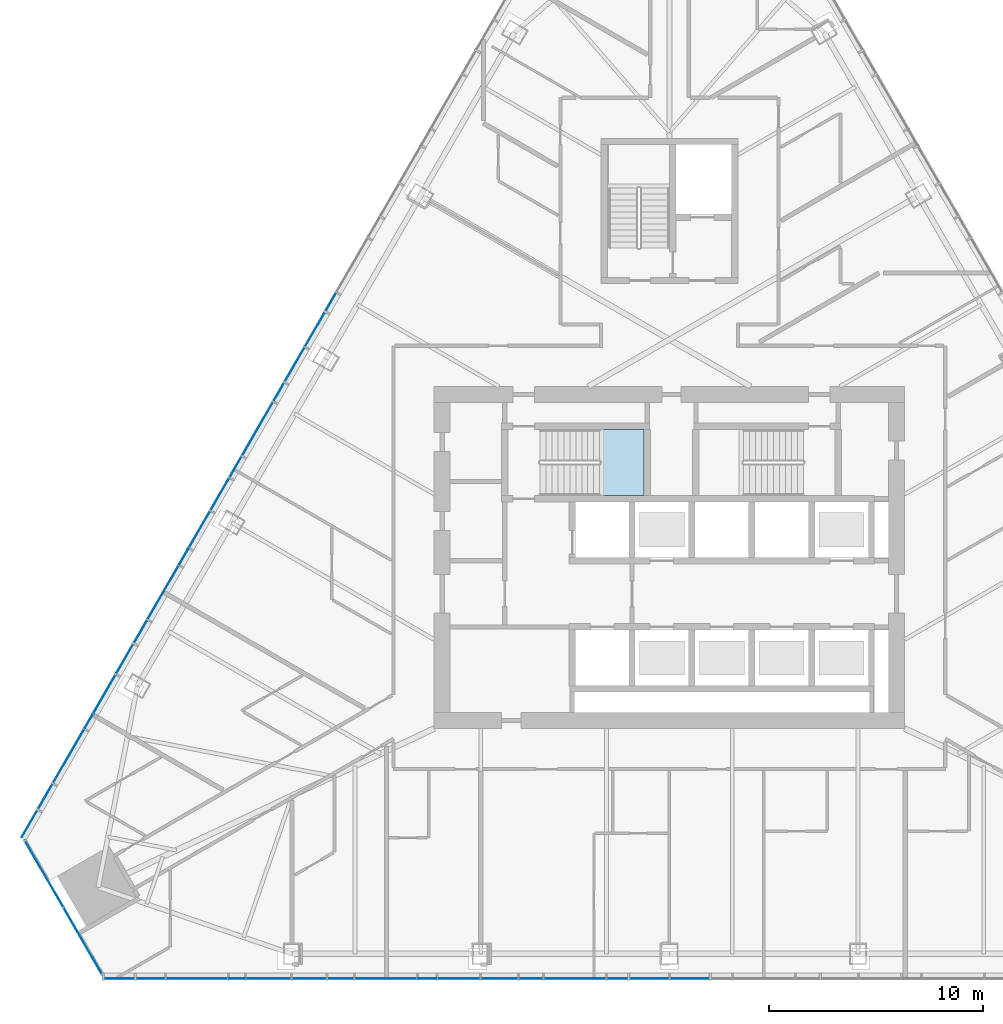
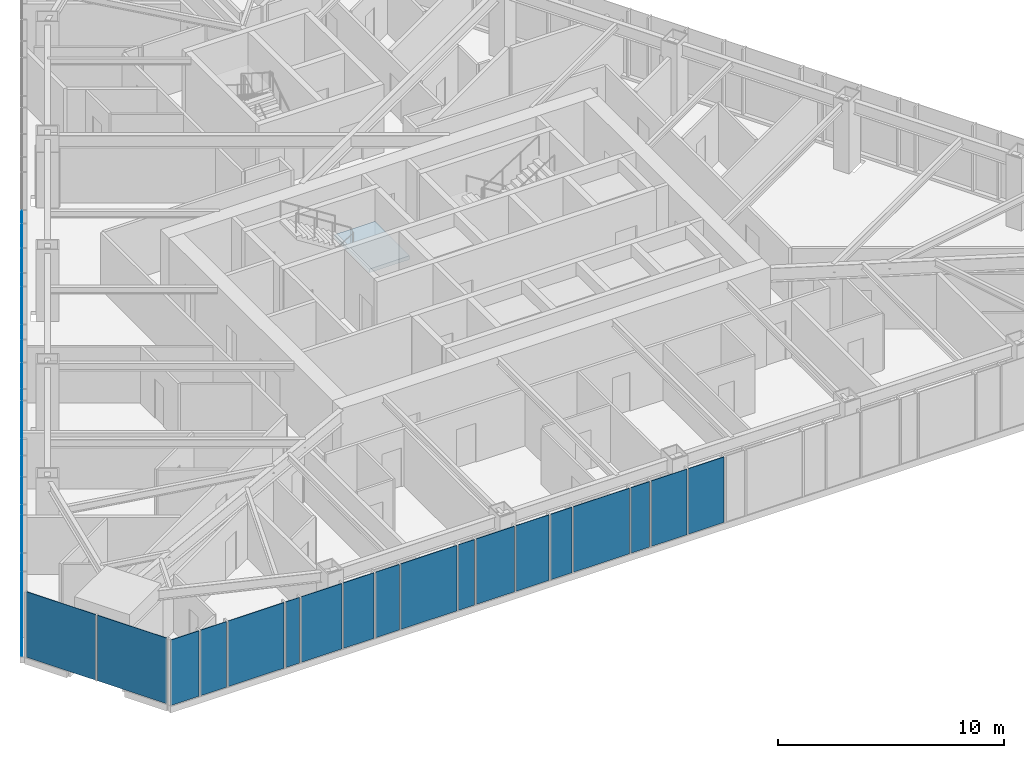
# One storey, part 9 of 19: 35 plates, 1 slab, 4 elements without a shape of their own.
"""IFC4 building model written with IfcOpenShell, lengths in metres."""

from ifc_helpers import new_model, si_unit, direction, frame, origin, place, context, subcontext, project, spatial, polyline, outline, extrude, material, layer, layer_set, type_object, element, aggregate, save


model = new_model("IFC4")

# Units and contexts
model_context = context("Model", 3, precision=1e-05, world=origin(), true_north=direction((0.0, 1.0)))
body_context = subcontext(model_context, "Body", "Model", "MODEL_VIEW")
ifc_project = project(units=[si_unit("LENGTHUNIT", "METRE"), si_unit("AREAUNIT", "SQUARE_METRE"), si_unit("VOLUMEUNIT", "CUBIC_METRE"), si_unit("PLANEANGLEUNIT", "RADIAN"), si_unit("MASSUNIT", "GRAM", prefix="KILO")], contexts=[model_context])

# Site, building, storey
site_placement = place(None, origin())
site = spatial("IfcSite", under=ifc_project, at=site_placement, CompositionType="ELEMENT")
building_placement = place(site_placement, origin())
building = spatial("IfcBuilding", under=site, at=building_placement, Name="Firuza Gate Tower and Library", CompositionType="ELEMENT")
storey_placement = place(building_placement, frame((0.0, 0.0, 179.199951171875)))
storey = spatial("IfcBuildingStorey", under=building, at=storey_placement, Name="L41", CompositionType="ELEMENT", Elevation=179.199951171875)

# Curtain wall, plates
ifc_material_1 = material(Name="Aluminium 6063-T6", Category="aluminium")
ifc_layer_1 = layer(ifc_material_1, 0.14990234375)
ifc_layer_set_1 = layer_set([ifc_layer_1], Name="Corner curtain wall, chamfers")
curtain_wall_type_1 = type_object("IfcCurtainWallType", Name="Corner curtain wall, chamfers", PredefinedType="NOTDEFINED", material=ifc_layer_set_1)
placement = place(storey_placement, origin())
curtain_wall_1 = element("IfcCurtainWall", 1, at=placement, inside=storey, type_object=curtain_wall_type_1, Name="CW4 L41 SW corner", PredefinedType="NOTDEFINED")
ifc_material_2 = material(Name="Fritted glass", Category="glass")
ifc_layer_2 = layer(ifc_material_2, 0.030029296875)
ifc_layer_set_2 = layer_set([ifc_layer_2], Name="Fritted glass unit, corners")
plate_type_1 = type_object("IfcPlateType", Name="Fritted glass unit, corners", PredefinedType="CURTAIN_PANEL", material=ifc_layer_set_2)
plate_1_placement = place(storey_placement, frame((44.848876953125, 61.7529296875, 0.150146484375), z_axis=(-0.866046390552, -0.49996364809, 0.0), x_axis=(0.49996364809, -0.866046390552, 0.0)))
plate_1 = element("IfcPlate", 2, at=plate_1_placement, type_object=plate_type_1, Name="Glass unit", PredefinedType="CURTAIN_PANEL", context=body_context, shape_type="SweptSolid", body=[
    extrude(outline(polyline([(0.0, 0.0), (3.563247342942594, 0.0), (3.563247342942594, 3.5498046875), (0.0, 3.5498046875), (0.0, 0.0)])), origin(), (0.0, 0.0, -1.0), 0.030029296875),
])
plate_2_placement = place(storey_placement, frame((46.67041015625, 58.59765625, 0.150146484375), z_axis=(-0.865999591991, -0.500044704672, 0.0), x_axis=(0.500044704672, -0.865999591991, 0.0)))
plate_2 = element("IfcPlate", 3, at=plate_2_placement, type_object=plate_type_1, Name="Glass unit", PredefinedType="CURTAIN_PANEL", context=body_context, shape_type="SweptSolid", body=[
    extrude(outline(polyline([(0.0, 0.0), (3.563157982880169, 0.0), (3.563157982880169, 3.5498046875), (0.0, 3.5498046875), (0.0, 0.0)])), origin(), (0.0, 0.0, -1.0), 0.030029296875),
])
aggregate(curtain_wall_1, [plate_1, plate_2])

ifc_material_3 = material(Name="Aluminium 6063-T6", Category="aluminium")
ifc_layer_3 = layer(ifc_material_3, 0.14990234375)
ifc_layer_set_3 = layer_set([ifc_layer_3], Name="Unitised curtain wall, hotel")
curtain_wall_type_2 = type_object("IfcCurtainWallType", Name="Unitised curtain wall, hotel", PredefinedType="NOTDEFINED", material=ifc_layer_set_3)
curtain_wall_2 = element("IfcCurtainWall", 4, at=placement, inside=storey, type_object=curtain_wall_type_2, Name="CW2 L41 S face", PredefinedType="NOTDEFINED")
ifc_material_4 = material(Name="Fritted glass", Category="glass")
ifc_layer_4 = layer(ifc_material_4, 0.030029296875)
ifc_layer_set_4 = layer_set([ifc_layer_4], Name="Fritted glass unit, hotel")
plate_type_2 = type_object("IfcPlateType", Name="Fritted glass unit, hotel", PredefinedType="CURTAIN_PANEL", material=ifc_layer_set_4)
plate_3_placement = place(storey_placement, frame((48.525146484375, 55.2998046875, 0.150146484375), z_axis=(0.0, -1.0, 0.0), x_axis=(1.0, 0.0, 0.0)))
plate_3 = element("IfcPlate", 5, at=plate_3_placement, type_object=plate_type_2, Name="Glass unit", PredefinedType="CURTAIN_PANEL", context=body_context, shape_type="SweptSolid", body=[
    extrude(outline(polyline([(0.0, 0.0), (1.455810546875, 0.0), (1.455810546875, 3.5498046875), (0.0, 3.5498046875), (0.0, 0.0)])), origin(), (0.0, 0.0, -1.0), 0.030029296875),
])
plate_4_placement = place(storey_placement, frame((55.20947265625, 55.2998046875, 0.150146484375), z_axis=(0.0, -1.0, 0.0), x_axis=(1.0, 0.0, 0.0)))
plate_4 = element("IfcPlate", 6, at=plate_4_placement, type_object=plate_type_2, Name="Glass unit", PredefinedType="CURTAIN_PANEL", context=body_context, shape_type="SweptSolid", body=[
    extrude(outline(polyline([(0.0, 0.0), (2.073974609375, 0.0), (2.073974609375, 3.5498046875), (0.0, 3.5498046875), (0.0, 0.0)])), origin(), (0.0, 0.0, -1.0), 0.030029296875),
])
plate_5_placement = place(storey_placement, frame((57.363525390625, 55.2998046875, 0.150146484375), z_axis=(0.0, -1.0, 0.0), x_axis=(1.0, 0.0, 0.0)))
plate_5 = element("IfcPlate", 7, at=plate_5_placement, type_object=plate_type_2, Name="Glass unit", PredefinedType="CURTAIN_PANEL", context=body_context, shape_type="SweptSolid", body=[
    extrude(outline(polyline([(0.0, 0.0), (1.579345703125, 0.0), (1.579345703125, 3.5498046875), (0.0, 3.5498046875), (0.0, 0.0)])), origin(), (0.0, 0.0, -1.0), 0.030029296875),
])
plate_6_placement = place(storey_placement, frame((64.17138671875, 55.2998046875, 0.150146484375), z_axis=(0.0, -1.0, 0.0), x_axis=(1.0, 0.0, 0.0)))
plate_6 = element("IfcPlate", 8, at=plate_6_placement, type_object=plate_type_2, Name="Glass unit", PredefinedType="CURTAIN_PANEL", context=body_context, shape_type="SweptSolid", body=[
    extrude(outline(polyline([(0.0, 0.0), (1.950439453125, 0.0), (1.950439453125, 3.5498046875), (0.0, 3.5498046875), (0.0, 0.0)])), origin(), (0.0, 0.0, -1.0), 0.030029296875),
])
plate_7_placement = place(storey_placement, frame((66.20166015625, 55.2998046875, 0.150146484375), z_axis=(0.0, -1.0, 0.0), x_axis=(1.0, 0.0, 0.0)))
plate_7 = element("IfcPlate", 9, at=plate_7_placement, type_object=plate_type_2, Name="Glass unit", PredefinedType="CURTAIN_PANEL", context=body_context, shape_type="SweptSolid", body=[
    extrude(outline(polyline([(0.0, 0.0), (1.703125, 0.0), (1.703125, 3.5498046875), (0.0, 3.5498046875), (0.0, 0.0)])), origin(), (0.0, 0.0, -1.0), 0.030029296875),
])
plate_8_placement = place(storey_placement, frame((73.13330078125, 55.2998046875, 0.150146484375), z_axis=(0.0, -1.0, 0.0), x_axis=(1.0, 0.0, 0.0)))
plate_8 = element("IfcPlate", 10, at=plate_8_placement, type_object=plate_type_2, Name="Glass unit", PredefinedType="CURTAIN_PANEL", context=body_context, shape_type="SweptSolid", body=[
    extrude(outline(polyline([(0.0, 0.0), (1.82666015625, 0.0), (1.82666015625, 3.5498046875), (0.0, 3.5498046875), (0.0, 0.0)])), origin(), (0.0, 0.0, -1.0), 0.030029296875),
])
plate_9_placement = place(storey_placement, frame((75.0400390625, 55.2998046875, 0.150146484375), z_axis=(0.0, -1.0, 0.0), x_axis=(1.0, 0.0, 0.0)))
plate_9 = element("IfcPlate", 11, at=plate_9_placement, type_object=plate_type_2, Name="Glass unit", PredefinedType="CURTAIN_PANEL", context=body_context, shape_type="SweptSolid", body=[
    extrude(outline(polyline([(0.0, 0.0), (1.82666015625, 0.0), (1.82666015625, 3.5498046875), (0.0, 3.5498046875), (0.0, 0.0)])), origin(), (0.0, 0.0, -1.0), 0.030029296875),
])

curtain_wall_3 = element("IfcCurtainWall", 12, at=placement, inside=storey, type_object=curtain_wall_type_2, Name="CW2 L41 W face", PredefinedType="NOTDEFINED")
plate_10_placement = place(storey_placement, frame((58.872314453125, 86.466796875, 0.150146484375), z_axis=(-0.866038699073, 0.499976971178, 0.0), x_axis=(-0.499976971178, -0.866038699073, 0.0)))
plate_10 = element("IfcPlate", 13, at=plate_10_placement, type_object=plate_type_2, Name="Glass unit", PredefinedType="CURTAIN_PANEL", context=body_context, shape_type="SweptSolid", body=[
    extrude(outline(polyline([(0.0, 0.0), (1.8267442917891878, 0.0), (1.8267442917891878, 3.5498046875), (0.0, 3.5498046875), (0.0, 0.0)])), origin(), (0.0, 0.0, -1.0), 0.030029296875),
])
plate_11_placement = place(storey_placement, frame((57.9189453125, 84.8154296875, 0.150146484375), z_axis=(-0.866038699073, 0.499976971178, 0.0), x_axis=(-0.499976971178, -0.866038699073, 0.0)))
plate_11 = element("IfcPlate", 14, at=plate_11_placement, type_object=plate_type_2, Name="Glass unit", PredefinedType="CURTAIN_PANEL", context=body_context, shape_type="SweptSolid", body=[
    extrude(outline(polyline([(0.0, 0.0), (1.8267442917891878, 0.0), (1.8267442917891878, 3.5498046875), (0.0, 3.5498046875), (0.0, 0.0)])), origin(), (0.0, 0.0, -1.0), 0.030029296875),
])
plate_12_placement = place(storey_placement, frame((54.391357421875, 78.70556640625, 0.150146484375), z_axis=(-0.866011310981, 0.500024408658, 0.0), x_axis=(-0.500024408658, -0.866011310981, 0.0)))
plate_12 = element("IfcPlate", 15, at=plate_12_placement, type_object=plate_type_2, Name="Glass unit", PredefinedType="CURTAIN_PANEL", context=body_context, shape_type="SweptSolid", body=[
    extrude(outline(polyline([(0.0, 0.0), (1.703041862068479, 0.0), (1.703041862068479, 3.5498046875), (0.0, 3.5498046875), (0.0, 0.0)])), origin(), (0.0, 0.0, -1.0), 0.030029296875),
])
plate_13_placement = place(storey_placement, frame((53.5, 77.161376953125, 0.150146484375), z_axis=(-0.866008413041, 0.500029427677, 0.0), x_axis=(-0.500029427677, -0.866008413041, 0.0)))
plate_13 = element("IfcPlate", 16, at=plate_13_placement, type_object=plate_type_2, Name="Glass unit", PredefinedType="CURTAIN_PANEL", context=body_context, shape_type="SweptSolid", body=[
    extrude(outline(polyline([(0.0, 0.0), (1.950568792333296, 0.0), (1.950568792333296, 3.5498046875), (0.0, 3.5498046875), (0.0, 0.0)])), origin(), (0.0, 0.0, -1.0), 0.030029296875),
])
plate_14_placement = place(storey_placement, frame((49.910400390625, 70.9443359375, 0.150146484375), z_axis=(-0.866085206172, 0.499896404919, 0.0), x_axis=(-0.499896404919, -0.866085206172, 0.0)))
plate_14 = element("IfcPlate", 17, at=plate_14_placement, type_object=plate_type_2, Name="Glass unit", PredefinedType="CURTAIN_PANEL", context=body_context, shape_type="SweptSolid", body=[
    extrude(outline(polyline([(0.0, 0.0), (1.5794288046110188, 0.0), (1.5794288046110188, 3.5498046875), (0.0, 3.5498046875), (0.0, 0.0)])), origin(), (0.0, 0.0, -1.0), 0.030029296875),
])
plate_15_placement = place(storey_placement, frame((49.080810546875, 69.507080078125, 0.150146484375), z_axis=(-0.866003278167, 0.500038320736, 0.0), x_axis=(-0.500038320736, -0.866003278167, 0.0)))
plate_15 = element("IfcPlate", 18, at=plate_15_placement, type_object=plate_type_2, Name="Glass unit", PredefinedType="CURTAIN_PANEL", context=body_context, shape_type="SweptSolid", body=[
    extrude(outline(polyline([(0.0, 0.0), (2.0740597910056526, 0.0), (2.0740597910056526, 3.5498046874999996), (0.0, 3.5498046874999996), (0.0, 0.0)])), origin(), (0.0, 0.0, -1.0), 0.030029296875),
])
plate_16_placement = place(storey_placement, frame((45.429443359375, 63.18310546875, 0.150146484375), z_axis=(-0.866099031366, 0.499872451598, 0.0), x_axis=(-0.499872451598, -0.866099031366, 0.0)))
plate_16 = element("IfcPlate", 19, at=plate_16_placement, type_object=plate_type_2, Name="Glass unit", PredefinedType="CURTAIN_PANEL", context=body_context, shape_type="SweptSolid", body=[
    extrude(outline(polyline([(0.0, 0.0), (1.4559378113329757, 0.0), (1.4559378113329757, 3.549804687500001), (0.0, 3.549804687500001), (0.0, 0.0)])), origin(), (0.0, 0.0, -1.0), 0.030029296875),
])

# Plate
ifc_material_5 = material(Name="Glazed ceramic tile")
ifc_layer_5 = layer(ifc_material_5, 0.030029296875)
ifc_layer_set_5 = layer_set([ifc_layer_5], Name="Opaque ceramic panel, hotel")
plate_type_3 = type_object("IfcPlateType", Name="Opaque ceramic panel, hotel", PredefinedType="CURTAIN_PANEL", material=ifc_layer_set_5)
plate_17_placement = place(storey_placement, frame((50.06103515625, 55.2998046875, 0.150146484375), z_axis=(0.0, -1.0, 0.0), x_axis=(1.0, 0.0, 0.0)))
plate_17 = element("IfcPlate", 20, at=plate_17_placement, type_object=plate_type_3, Name="Opaque ceramic panel", PredefinedType="CURTAIN_PANEL", context=body_context, shape_type="SweptSolid", body=[
    extrude(outline(polyline([(0.0, 0.0), (1.330078125, 0.0), (1.330078125, 3.5498046875), (0.0, 3.5498046875), (0.0, 0.0)])), origin(), (0.0, 0.0, -1.0), 0.030029296875),
])

plate_18_placement = place(storey_placement, frame((51.47119140625, 55.2998046875, 0.150146484375), z_axis=(0.0, -1.0, 0.0), x_axis=(1.0, 0.0, 0.0)))
plate_18 = element("IfcPlate", 21, at=plate_18_placement, type_object=plate_type_3, Name="Opaque ceramic panel", PredefinedType="CURTAIN_PANEL", context=body_context, shape_type="SweptSolid", body=[
    extrude(outline(polyline([(0.0, 0.0), (2.8662109375, 0.0), (2.8662109375, 3.5498046875), (0.0, 3.5498046875), (0.0, 0.0)])), origin(), (0.0, 0.0, -1.0), 0.030029296875),
])

plate_19_placement = place(storey_placement, frame((54.417236328125, 55.2998046875, 0.150146484375), z_axis=(0.0, -1.0, 0.0), x_axis=(1.0, 0.0, 0.0)))
plate_19 = element("IfcPlate", 22, at=plate_19_placement, type_object=plate_type_3, Name="Opaque ceramic panel", PredefinedType="CURTAIN_PANEL", context=body_context, shape_type="SweptSolid", body=[
    extrude(outline(polyline([(0.0, 0.0), (0.712158203125, 0.0), (0.712158203125, 3.5498046875), (0.0, 3.5498046875), (0.0, 0.0)])), origin(), (0.0, 0.0, -1.0), 0.030029296875),
])

plate_20_placement = place(storey_placement, frame((59.02294921875, 55.2998046875, 0.150146484375), z_axis=(0.0, -1.0, 0.0), x_axis=(1.0, 0.0, 0.0)))
plate_20 = element("IfcPlate", 23, at=plate_20_placement, type_object=plate_type_3, Name="Opaque ceramic panel", PredefinedType="CURTAIN_PANEL", context=body_context, shape_type="SweptSolid", body=[
    extrude(outline(polyline([(0.0, 0.0), (1.20654296875, 0.0), (1.20654296875, 3.5498046875), (0.0, 3.5498046875), (0.0, 0.0)])), origin(), (0.0, 0.0, -1.0), 0.030029296875),
])

plate_21_placement = place(storey_placement, frame((60.3095703125, 55.2998046875, 0.150146484375), z_axis=(0.0, -1.0, 0.0), x_axis=(1.0, 0.0, 0.0)))
plate_21 = element("IfcPlate", 24, at=plate_21_placement, type_object=plate_type_3, Name="Opaque ceramic panel", PredefinedType="CURTAIN_PANEL", context=body_context, shape_type="SweptSolid", body=[
    extrude(outline(polyline([(0.0, 0.0), (2.865966796875, 0.0), (2.865966796875, 3.5498046875), (0.0, 3.5498046875), (0.0, 0.0)])), origin(), (0.0, 0.0, -1.0), 0.030029296875),
])

plate_22_placement = place(storey_placement, frame((63.255615234375, 55.2998046875, 0.150146484375), z_axis=(0.0, -1.0, 0.0), x_axis=(1.0, 0.0, 0.0)))
plate_22 = element("IfcPlate", 25, at=plate_22_placement, type_object=plate_type_3, Name="Opaque ceramic panel", PredefinedType="CURTAIN_PANEL", context=body_context, shape_type="SweptSolid", body=[
    extrude(outline(polyline([(0.0, 0.0), (0.835693359375, 0.0), (0.835693359375, 3.5498046875), (0.0, 3.5498046875), (0.0, 0.0)])), origin(), (0.0, 0.0, -1.0), 0.030029296875),
])

plate_23_placement = place(storey_placement, frame((67.98486328125, 55.2998046875, 0.150146484375), z_axis=(0.0, -1.0, 0.0), x_axis=(1.0, 0.0, 0.0)))
plate_23 = element("IfcPlate", 26, at=plate_23_placement, type_object=plate_type_3, Name="Opaque ceramic panel", PredefinedType="CURTAIN_PANEL", context=body_context, shape_type="SweptSolid", body=[
    extrude(outline(polyline([(0.0, 0.0), (1.0830078125, 0.0), (1.0830078125, 3.5498046875), (0.0, 3.5498046875), (0.0, 0.0)])), origin(), (0.0, 0.0, -1.0), 0.030029296875),
])

plate_24_placement = place(storey_placement, frame((69.147705078125, 55.2998046875, 0.150146484375), z_axis=(0.0, -1.0, 0.0), x_axis=(1.0, 0.0, 0.0)))
plate_24 = element("IfcPlate", 27, at=plate_24_placement, type_object=plate_type_3, Name="Opaque ceramic panel", PredefinedType="CURTAIN_PANEL", context=body_context, shape_type="SweptSolid", body=[
    extrude(outline(polyline([(0.0, 0.0), (2.8662109375, 0.0), (2.8662109375, 3.5498046875), (0.0, 3.5498046875), (0.0, 0.0)])), origin(), (0.0, 0.0, -1.0), 0.030029296875),
])

plate_25_placement = place(storey_placement, frame((72.093994140625, 55.2998046875, 0.150146484375), z_axis=(0.0, -1.0, 0.0), x_axis=(1.0, 0.0, 0.0)))
plate_25 = element("IfcPlate", 28, at=plate_25_placement, type_object=plate_type_3, Name="Opaque ceramic panel", PredefinedType="CURTAIN_PANEL", context=body_context, shape_type="SweptSolid", body=[
    extrude(outline(polyline([(0.0, 0.0), (0.959228515625, 0.0), (0.959228515625, 3.5498046875), (0.0, 3.5498046875), (0.0, 0.0)])), origin(), (0.0, 0.0, -1.0), 0.030029296875),
])

aggregate(curtain_wall_2, [plate_3, plate_17, plate_18, plate_19, plate_4, plate_5, plate_20, plate_21, plate_22, plate_6, plate_7, plate_23, plate_24, plate_25, plate_8, plate_9])

plate_26_placement = place(storey_placement, frame((59.39208984375, 87.366943359375, 0.150146484375), z_axis=(-0.865994874968, 0.500052873733, 0.0), x_axis=(-0.500052873733, -0.865994874968, 0.0)))
plate_26 = element("IfcPlate", 29, at=plate_26_placement, type_object=plate_type_3, Name="Opaque ceramic panel", PredefinedType="CURTAIN_PANEL", context=body_context, shape_type="SweptSolid", body=[
    extrude(outline(polyline([(0.0, 0.0), (0.9593712051763875, 0.0), (0.9593712051763875, 3.5498046875), (0.0, 3.5498046875), (0.0, 0.0)])), origin(), (0.0, 0.0, -1.0), 0.030029296875),
])

plate_27_placement = place(storey_placement, frame((56.965576171875, 83.164306640625, 0.150146484375), z_axis=(-0.866105068725, 0.499861990883, 0.0), x_axis=(-0.499861990883, -0.866105068725, 0.0)))
plate_27 = element("IfcPlate", 30, at=plate_27_placement, type_object=plate_type_3, Name="Opaque ceramic panel", PredefinedType="CURTAIN_PANEL", context=body_context, shape_type="SweptSolid", body=[
    extrude(outline(polyline([(0.0, 0.0), (0.959249145254908, 0.0), (0.959249145254908, 3.5498046875), (0.0, 3.5498046875), (0.0, 0.0)])), origin(), (0.0, 0.0, -1.0), 0.030029296875),
])

plate_28_placement = place(storey_placement, frame((56.446044921875, 82.26416015625, 0.150146484375), z_axis=(-0.866022459948, 0.500005098839, 0.0), x_axis=(-0.500005098839, -0.866022459948, 0.0)))
plate_28 = element("IfcPlate", 31, at=plate_28_placement, type_object=plate_type_3, Name="Opaque ceramic panel", PredefinedType="CURTAIN_PANEL", context=body_context, shape_type="SweptSolid", body=[
    extrude(outline(polyline([(0.0, 0.0), (2.86618170910153, 0.0), (2.86618170910153, 3.5498046875), (0.0, 3.5498046875), (0.0, 0.0)])), origin(), (0.0, 0.0, -1.0), 0.030029296875),
])

plate_29_placement = place(storey_placement, frame((54.972900390625, 79.712646484375, 0.150146484375), z_axis=(-0.865986583332, 0.500067232968, 0.0), x_axis=(-0.500067232968, -0.865986583332, 0.0)))
plate_29 = element("IfcPlate", 32, at=plate_29_placement, type_object=plate_type_3, Name="Opaque ceramic panel", PredefinedType="CURTAIN_PANEL", context=body_context, shape_type="SweptSolid", body=[
    extrude(outline(polyline([(0.0, 0.0), (1.0828622044196246, 0.0), (1.0828622044196246, 3.5498046875), (0.0, 3.5498046875), (0.0, 0.0)])), origin(), (0.0, 0.0, -1.0), 0.030029296875),
])

plate_30_placement = place(storey_placement, frame((52.484619140625, 75.403076171875, 0.150146484375), z_axis=(-0.866132085421, 0.499815176444, 0.0), x_axis=(-0.499815176444, -0.866132085421, 0.0)))
plate_30 = element("IfcPlate", 33, at=plate_30_placement, type_object=plate_type_3, Name="Opaque ceramic panel", PredefinedType="CURTAIN_PANEL", context=body_context, shape_type="SweptSolid", body=[
    extrude(outline(polyline([(0.0, 0.0), (0.8357581543383408, 0.0), (0.8357581543383408, 3.5498046875), (0.0, 3.5498046875), (0.0, 0.0)])), origin(), (0.0, 0.0, -1.0), 0.030029296875),
])

plate_31_placement = place(storey_placement, frame((52.02685546875, 74.60986328125, 0.150146484375), z_axis=(-0.866001162221, 0.500041985268, 0.0), x_axis=(-0.500041985268, -0.866001162221, 0.0)))
plate_31 = element("IfcPlate", 34, at=plate_31_placement, type_object=plate_type_3, Name="Opaque ceramic panel", PredefinedType="CURTAIN_PANEL", context=body_context, shape_type="SweptSolid", body=[
    extrude(outline(polyline([(0.0, 0.0), (2.865970280436618, 0.0), (2.865970280436618, 3.5498046875), (0.0, 3.5498046875), (0.0, 0.0)])), origin(), (0.0, 0.0, -1.0), 0.030029296875),
])

plate_32_placement = place(storey_placement, frame((50.5537109375, 72.05859375, 0.150146484375), z_axis=(-0.866030586491, 0.499991023182, 0.0), x_axis=(-0.499991023182, -0.866030586491, 0.0)))
plate_32 = element("IfcPlate", 35, at=plate_32_placement, type_object=plate_type_3, Name="Opaque ceramic panel", PredefinedType="CURTAIN_PANEL", context=body_context, shape_type="SweptSolid", body=[
    extrude(outline(polyline([(0.0, 0.0), (1.2065646309723868, 0.0), (1.2065646309723868, 3.5498046875), (0.0, 3.5498046875), (0.0, 0.0)])), origin(), (0.0, 0.0, -1.0), 0.030029296875),
])

plate_33_placement = place(storey_placement, frame((48.003662109375, 67.6416015625, 0.150146484375), z_axis=(-0.86608282171, 0.499900536046, 0.0), x_axis=(-0.499900536046, -0.86608282171, 0.0)))
plate_33 = element("IfcPlate", 36, at=plate_33_placement, type_object=plate_type_3, Name="Opaque ceramic panel", PredefinedType="CURTAIN_PANEL", context=body_context, shape_type="SweptSolid", body=[
    extrude(outline(polyline([(0.0, 0.0), (0.7120557102524872, 0.0), (0.7120557102524872, 3.549804687500001), (0.0, 3.549804687500001), (0.0, 0.0)])), origin(), (0.0, 0.0, -1.0), 0.030029296875),
])

plate_34_placement = place(storey_placement, frame((47.607666015625, 66.955810546875, 0.150146484375), z_axis=(-0.866022459948, 0.500005098839, 0.0), x_axis=(-0.500005098839, -0.866022459948, 0.0)))
plate_34 = element("IfcPlate", 37, at=plate_34_placement, type_object=plate_type_3, Name="Opaque ceramic panel", PredefinedType="CURTAIN_PANEL", context=body_context, shape_type="SweptSolid", body=[
    extrude(outline(polyline([(0.0, 0.0), (2.86618170910153, 0.0), (2.86618170910153, 3.5498046875), (0.0, 3.5498046875), (0.0, 0.0)])), origin(), (0.0, 0.0, -1.0), 0.030029296875),
])

plate_35_placement = place(storey_placement, frame((46.134765625, 64.404296875, 0.150146484375), z_axis=(-0.865986935059, 0.500066623869, 0.0), x_axis=(-0.500066623869, -0.865986935059, 0.0)))
plate_35 = element("IfcPlate", 38, at=plate_35_placement, type_object=plate_type_3, Name="Opaque ceramic panel", PredefinedType="CURTAIN_PANEL", context=body_context, shape_type="SweptSolid", body=[
    extrude(outline(polyline([(0.0, 0.0), (1.3303891349083876, 0.0), (1.3303891349083876, 3.549804687500001), (0.0, 3.549804687500001), (0.0, 0.0)])), origin(), (0.0, 0.0, -1.0), 0.030029296875),
])

aggregate(curtain_wall_3, [plate_26, plate_10, plate_11, plate_27, plate_28, plate_29, plate_12, plate_13, plate_30, plate_31, plate_32, plate_14, plate_15, plate_33, plate_34, plate_35, plate_16])

# Stair, slab
ifc_material_6 = material(Name="Concrete C35/45", Category="concrete")
stair_type = type_object("IfcStairType", Name="Exit stair ST7", PredefinedType="HALF_TURN_STAIR", material=ifc_material_6)
stair = element("IfcStair", 39, at=placement, inside=storey, type_object=stair_type, Name="L41 Stair ST1", PredefinedType="HALF_TURN_STAIR")
ifc_material_7 = material(Name="Concrete C35/45", Category="concrete")
ifc_layer_6 = layer(ifc_material_7, 0.199951171875)
ifc_layer_set_6 = layer_set([ifc_layer_6], Name="Stair landing 200")
slab_type = type_object("IfcSlabType", Name="Stair landing 200", PredefinedType="LANDING", material=ifc_layer_set_6)
slab_placement = place(storey_placement, frame((0.0, 0.0, 1.75)))
slab = element("IfcSlab", 40, at=slab_placement, type_object=slab_type, Name="ST1 landing 1", PredefinedType="LANDING", context=body_context, shape_type="SweptSolid", body=[
    extrude(outline(polyline([(71.739990234375, 77.89990234375), (73.81005859375, 77.89990234375), (73.81005859375, 80.97998046875), (71.739990234375, 80.97998046875), (71.739990234375, 77.89990234375)])), origin(), (0.0, 0.0, 1.0), 0.199951171875),
])
aggregate(stair, [slab])

save(model, "model.ifc")
